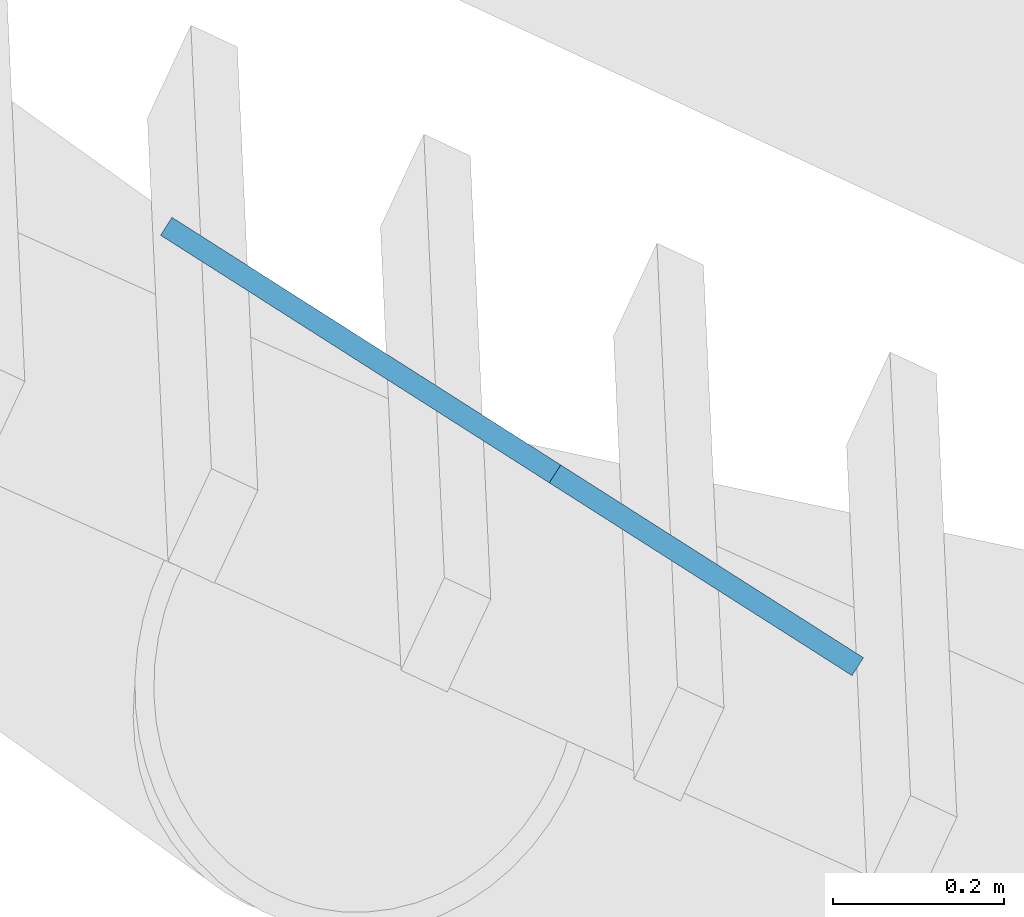
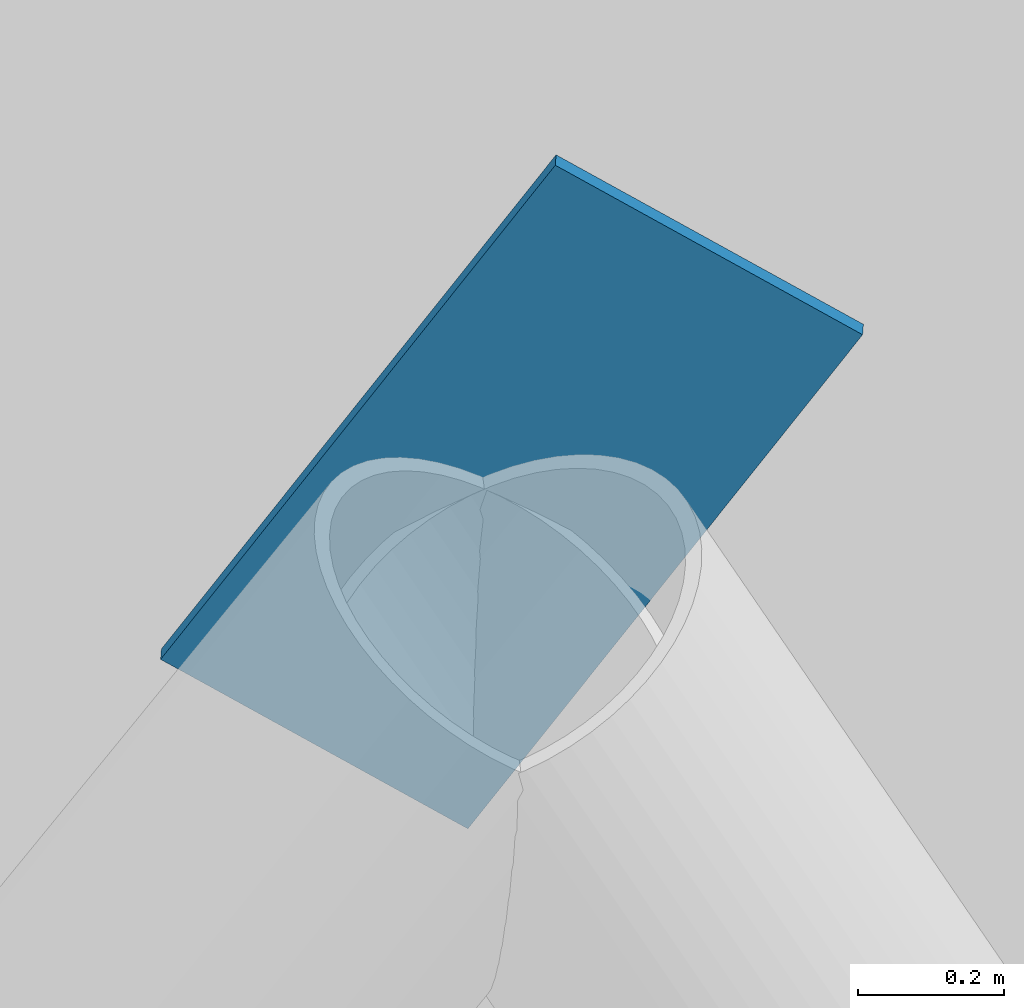
# One storey, part 9 of 24: 1 discrete accessory.
"""IFC4 building model written with IfcOpenShell, lengths in metres."""

from ifc_helpers import new_model, si_unit, direction, frame, origin, origin_2d, place, context, subcontext, project, spatial, rectangle, extrude, material, material_profile, profile_set, type_object, element, save


model = new_model("IFC4")

# Units and contexts
model_context = context("Model", 3, precision=1e-05, world=origin(), true_north=direction((0.0, 1.0)))
body_context = subcontext(model_context, "Body", "Model", "MODEL_VIEW")
ifc_project = project(units=[si_unit("LENGTHUNIT", "METRE"), si_unit("AREAUNIT", "SQUARE_METRE"), si_unit("VOLUMEUNIT", "CUBIC_METRE"), si_unit("PLANEANGLEUNIT", "RADIAN"), si_unit("MASSUNIT", "GRAM", prefix="KILO")], contexts=[model_context])

# Site, building, storey
site_placement = place(None, origin())
site = spatial("IfcSite", under=ifc_project, at=site_placement, CompositionType="ELEMENT")
building_placement = place(site_placement, origin())
building = spatial("IfcBuilding", under=site, at=building_placement, Name="Tarsis Ring Headquarters", CompositionType="ELEMENT")
storey_placement = place(building_placement, frame((0.0, 0.0, 178.800048828125)))
storey = spatial("IfcBuildingStorey", under=building, at=storey_placement, Name="L41", CompositionType="ELEMENT", Elevation=178.800048828125)

# Discrete accessory
ifc_material = material(Name="Structural steel S355", Category="steel")
ifc_material_profile = material_profile(ifc_material, rectangle(XDim=0.02490234375, YDim=0.5, at=origin_2d()), Name="PL 25x500")
ifc_profile_set = profile_set([ifc_material_profile], Name="Structural steel S355")
discrete_accessory_type = type_object("IfcDiscreteAccessoryType", Name="Gusset plate Exo brace 25", PredefinedType="BRACKET", material=ifc_profile_set)
discrete_accessory_placement = place(storey_placement, frame((-32.955322265625, -1.5556640625, 7.379150390625), z_axis=(0.455756179, -0.290248578913, 0.841452356193), x_axis=(0.537167788944, 0.843475409553, 0.0)))
element("IfcDiscreteAccessory", 1, at=discrete_accessory_placement, inside=storey, type_object=discrete_accessory_type, Name="Gusset plate GP5", PredefinedType="BRACKET", context=body_context, shape_type="SweptSolid", body=[
    extrude(rectangle(XDim=0.02490234375, YDim=0.5, at=origin_2d()), origin(), (0.0, 0.0, 1.0), 1.0),
])

save(model, "model.ifc")
